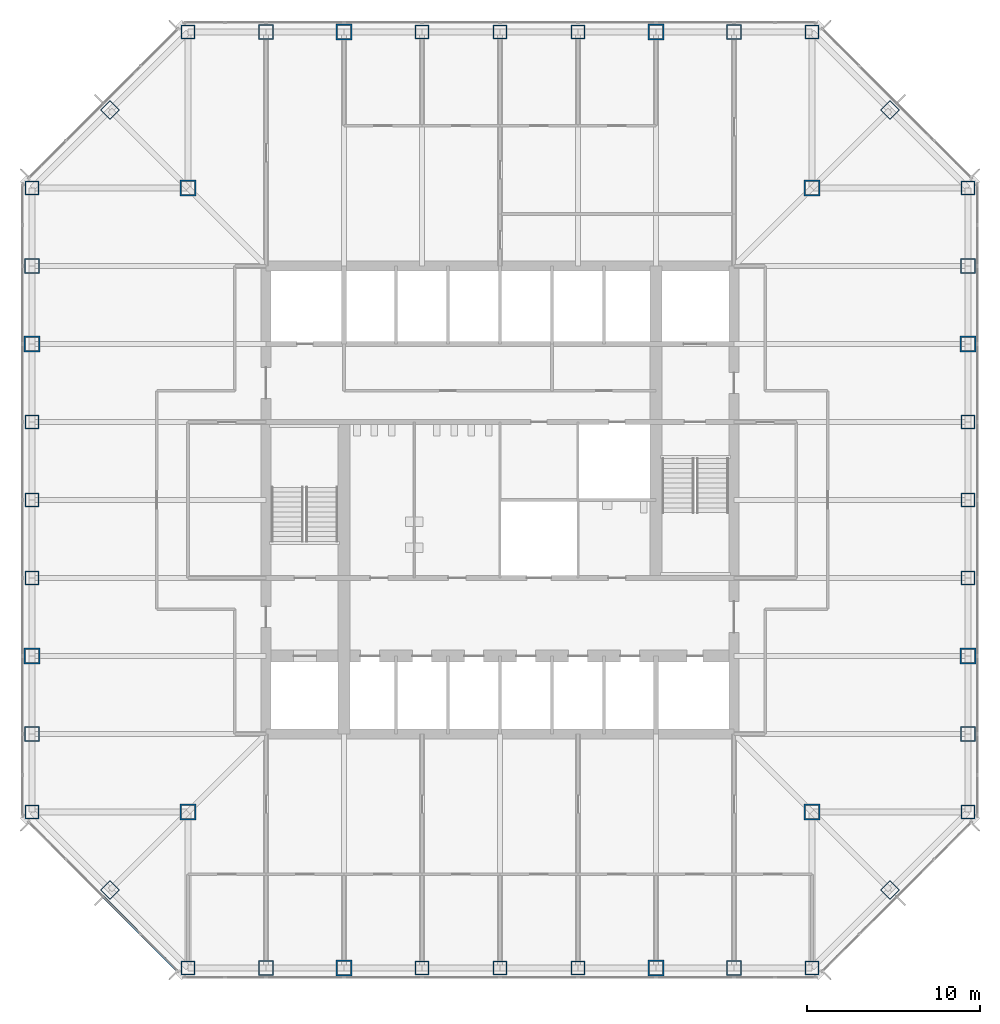
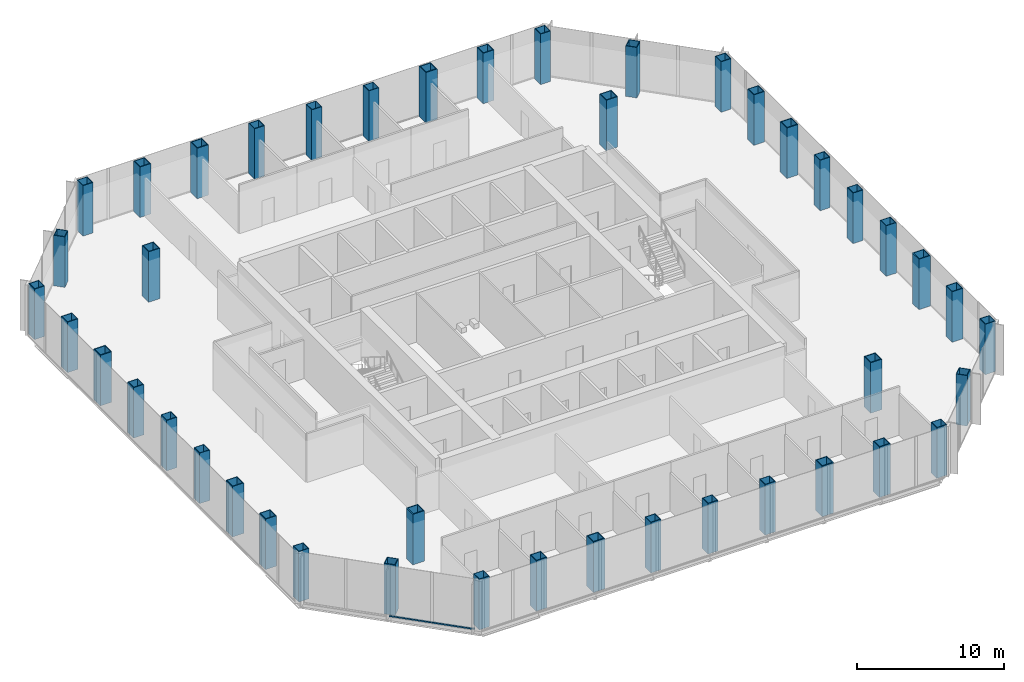
# One storey, part 1 of 13: 44 columns, 2 members, 1 element without a shape of its own.
"""IFC4 building model written with IfcOpenShell, lengths in metres."""

import ifcopenshell
import ifcopenshell.guid

model = None  # the IFC model being written
_history = None  # IfcOwnerHistory: only IFC2X3 demands one
_inside = {}  # id of a spatial element -> (the spatial element, [elements in it])
_under = {}  # id of a project, library or spatial element -> (it, [spatial elements below it])
_declared = {}  # id of a project -> (the project, [libraries it declares])
_typed = {}  # id of a type object -> (the type object, [elements of that type])
_made_of = {}  # id of a material, layer set ... -> (it, [elements and type objects made of it])


def new_model(schema):
    """Start an empty IFC model of exactly this schema.

    Asked for "IFC4X3", IfcOpenShell would pick the latest addendum, in which some entities
    have other attributes; the version numbers below select the first issue.
    IFC2X3 requires an IfcOwnerHistory on every rooted entity: one is made here for all.
    """
    global model, _history
    if schema == "IFC4X3":
        model = ifcopenshell.file(schema_version=(4, 3, 0, 0))
    else:
        model = ifcopenshell.file(schema=schema)
    _inside.clear()
    _under.clear()
    _declared.clear()
    _typed.clear()
    _made_of.clear()
    _history = None
    if model.schema == "IFC2X3":
        org = make("IfcOrganization", Name="unknown")
        user = make(
            "IfcPersonAndOrganization",
            ThePerson=make("IfcPerson", FamilyName="unknown"),
            TheOrganization=org,
        )
        app = make(
            "IfcApplication",
            ApplicationDeveloper=org,
            Version="unknown",
            ApplicationFullName="unknown",
            ApplicationIdentifier="unknown",
        )
        _history = make(
            "IfcOwnerHistory",
            OwningUser=user,
            OwningApplication=app,
            ChangeAction="ADDED",
            CreationDate=0,
        )
    return model


def make(cls, **values):
    """One entity of the class cls with the attributes given. An attribute that is None is left unset."""
    return model.create_entity(
        cls, **{name: value for name, value in values.items() if value is not None}
    )


def rooted(cls, **values):
    """An entity with a GlobalId (a new one), such as an element, a storey or a relation."""
    return make(cls, GlobalId=ifcopenshell.guid.new(), OwnerHistory=_history, **values)


def si_unit(unit_type, name, prefix=None):
    """IfcSIUnit, for example si_unit("LENGTHUNIT", "METRE", prefix="MILLI")."""
    return make("IfcSIUnit", UnitType=unit_type, Prefix=prefix, Name=name)


def assignment(units):
    """IfcUnitAssignment: the units of a project."""
    return None if units is None else make("IfcUnitAssignment", Units=units)


def point(xyz):
    """IfcCartesianPoint."""
    return None if xyz is None else make("IfcCartesianPoint", Coordinates=xyz)


def direction(xyz):
    """IfcDirection."""
    return None if xyz is None else make("IfcDirection", DirectionRatios=xyz)


def frame(location, z_axis=None, x_axis=None):
    """IfcAxis2Placement3D, a coordinate frame: its origin and axes. An axis left out is left unset."""
    return make(
        "IfcAxis2Placement3D",
        Location=point(location),
        Axis=direction(z_axis),
        RefDirection=direction(x_axis),
    )


def frame_2d(location, x_axis=None):
    """IfcAxis2Placement2D, a coordinate frame in the plane: its origin and x axis."""
    return make(
        "IfcAxis2Placement2D", Location=point(location), RefDirection=direction(x_axis)
    )


def origin():
    """The frame at (0, 0, 0) with its axes left unset."""
    return frame((0.0, 0.0, 0.0))


def origin_2d():
    """The frame at (0, 0) in the plane with its x axis left unset."""
    return frame_2d((0.0, 0.0))


def place(relative_to, where):
    """IfcLocalPlacement: puts the frame where relative to a parent placement (None: the world)."""
    return make(
        "IfcLocalPlacement", PlacementRelTo=relative_to, RelativePlacement=where
    )


def context(
    kind, dimensions, precision=None, world=None, true_north=None, identifier=None
):
    """IfcGeometricRepresentationContext, for example the 3D "Model" context."""
    return make(
        "IfcGeometricRepresentationContext",
        ContextIdentifier=identifier,
        ContextType=kind,
        CoordinateSpaceDimension=dimensions,
        Precision=precision,
        WorldCoordinateSystem=world,
        TrueNorth=true_north,
    )


def subcontext(parent, identifier, kind, view, scale=None):
    """IfcGeometricRepresentationSubContext, for example "Body" below "Model"."""
    return make(
        "IfcGeometricRepresentationSubContext",
        ContextIdentifier=identifier,
        ContextType=kind,
        ParentContext=parent,
        TargetScale=scale,
        TargetView=view,
    )


def project(units=None, contexts=None):
    """IfcProject with its units and contexts."""
    return rooted(
        "IfcProject",
        Name="project",
        RepresentationContexts=contexts,
        UnitsInContext=assignment(units),
    )


def spatial(cls, under=None, at=None, **own):
    """A site, building, storey or space (cls), placed at a placement, below another one or the project."""
    s = rooted(cls, ObjectPlacement=at, **own)
    if under is not None:
        _under.setdefault(under.id(), (under, []))[1].append(s)
    return s


def profile(cls, at=None, kind="AREA", **sizes):
    """A parametric profile (cls). Its sizes go by their IFC names, for example OverallWidth=200.0."""
    return make(cls, ProfileType=kind, Position=at, **sizes)


def rectangle(**sizes):
    """IfcRectangleProfileDef."""
    return profile("IfcRectangleProfileDef", **sizes)


def hollow_rectangle(**sizes):
    """IfcRectangleHollowProfileDef."""
    return profile("IfcRectangleHollowProfileDef", **sizes)


def extrude(swept, where, along, depth):
    """IfcExtrudedAreaSolid: the profile swept, set in the frame where, extruded along a direction by depth."""
    return make(
        "IfcExtrudedAreaSolid",
        SweptArea=swept,
        Position=where,
        ExtrudedDirection=direction(along),
        Depth=depth,
    )


def shape(context_of_items, identifier, shape_type, items):
    """IfcShapeRepresentation: the items that make up one representation, for example the "Body"."""
    return make(
        "IfcShapeRepresentation",
        ContextOfItems=context_of_items,
        RepresentationIdentifier=identifier,
        RepresentationType=shape_type,
        Items=items,
    )


def material(Name=None, Category=None):
    """IfcMaterial."""
    return make("IfcMaterial", Name=Name, Category=Category)


def material_profile(
    of_material, cross_section, Name=None, Category=None, Priority=None
):
    """IfcMaterialProfile: a cross section and its material."""
    return make(
        "IfcMaterialProfile",
        Name=Name,
        Material=of_material,
        Profile=cross_section,
        Priority=Priority,
        Category=Category,
    )


def profile_set(profiles, Name=None, composite=None):
    """IfcMaterialProfileSet."""
    return make(
        "IfcMaterialProfileSet",
        Name=Name,
        MaterialProfiles=profiles,
        CompositeProfile=composite,
    )


def made_of(thing, what):
    """Note that an element or type object is made of a material, layer set ...; save() writes the relation."""
    if what is not None:
        _made_of.setdefault(what.id(), (what, []))[1].append(thing)
    return thing


def type_object(cls, material=None, **own):
    """A type object (cls), such as IfcWallType, which elements share."""
    return made_of(rooted(cls, **own), material)


def element(
    cls,
    number,
    at=None,
    inside=None,
    cuts=None,
    type_object=None,
    material=None,
    context=None,
    identifier="Body",
    shape_type=None,
    held_by="IfcProductDefinitionShape",
    body=None,
    shapes=None,
    **own,
):
    """One element of the class cls, such as IfcWall. Its Tag is "e" and its number.

    at: its placement. inside: the storey or other place that contains it. cuts: it is an
    opening in that element (IfcRelVoidsElement). A single representation is given by context,
    identifier, shape_type and body (its items); several are given by shapes. held_by: the class
    of the entity that holds the representations. save() writes the other relations.
    """
    e = rooted(cls, Tag="e%d" % number, ObjectPlacement=at, **own)
    if body is not None:
        shapes = [shape(context, identifier, shape_type, body)]
    if shapes is not None:
        e.Representation = make(held_by, Representations=shapes)
    if inside is not None:
        _inside.setdefault(inside.id(), (inside, []))[1].append(e)
    if cuts is not None:
        rooted(
            "IfcRelVoidsElement", RelatingBuildingElement=cuts, RelatedOpeningElement=e
        )
    if type_object is not None:
        _typed.setdefault(type_object.id(), (type_object, []))[1].append(e)
    return made_of(e, material)


def aggregate(whole, parts):
    """IfcRelAggregates: a whole, such as a stair, and the parts it consists of."""
    return rooted("IfcRelAggregates", RelatingObject=whole, RelatedObjects=parts)


def save(model, path):
    """Write the relations noted so far, then the file.

    IfcRelAggregates (storeys below a building ...), IfcRelContainedInSpatialStructure (elements
    in a storey), IfcRelDefinesByType, IfcRelAssociatesMaterial and IfcRelDeclares: one each for
    every whole, place, type object, material and project.
    """
    for whole, parts in _under.values():
        aggregate(whole, parts)
    for where, things in _inside.values():
        rooted(
            "IfcRelContainedInSpatialStructure",
            RelatedElements=things,
            RelatingStructure=where,
        )
    for kind, things in _typed.values():
        rooted("IfcRelDefinesByType", RelatedObjects=things, RelatingType=kind)
    for what, things in _made_of.values():
        rooted("IfcRelAssociatesMaterial", RelatedObjects=things, RelatingMaterial=what)
    for by, libraries in _declared.values():
        rooted("IfcRelDeclares", RelatingContext=by, RelatedDefinitions=libraries)
    model.write(path)


model = new_model("IFC4")

# Units and contexts
model_context = context("Model", 3, precision=1e-05, world=origin(), true_north=direction((0.0, 1.0)))
body_context = subcontext(model_context, "Body", "Model", "MODEL_VIEW")
ifc_project = project(units=[si_unit("LENGTHUNIT", "METRE"), si_unit("AREAUNIT", "SQUARE_METRE"), si_unit("VOLUMEUNIT", "CUBIC_METRE"), si_unit("PLANEANGLEUNIT", "RADIAN"), si_unit("MASSUNIT", "GRAM", prefix="KILO")], contexts=[model_context])

# Site, building, storey
site_placement = place(None, origin())
site = spatial("IfcSite", under=ifc_project, at=site_placement, CompositionType="ELEMENT")
building_placement = place(site_placement, origin())
building = spatial("IfcBuilding", under=site, at=building_placement, Name="Corais Broadcast Tower", CompositionType="ELEMENT")
storey_placement = place(building_placement, frame((0.0, 0.0, 79.39990234375)))
storey = spatial("IfcBuildingStorey", under=building, at=storey_placement, Name="L17", CompositionType="ELEMENT", Elevation=79.39990234375)

# Columns
ifc_material_1 = material(Name="Steel ASTM A572 Grade 50", Category="steel")
ifc_material_profile_1 = material_profile(ifc_material_1, hollow_rectangle(XDim=0.800048828125, YDim=0.800048828125, WallThickness=0.044921875, at=origin_2d()), Name="BOX 800x800x45")
ifc_profile_set_1 = profile_set([ifc_material_profile_1], Name="Steel ASTM A572 Grade 50")
column_type_1 = type_object("IfcColumnType", Name="Column BOX 800x800x45", PredefinedType="COLUMN", material=ifc_profile_set_1)
for number, where, z_axis, x_axis, name in (
    (1, (9.0, 0.0, 0.0), (0.0, 0.0, 1.0), (1.0, 0.0, 0.0), "C3 A/5"),
    (2, (22.5, 0.0, 0.0), (0.0, 0.0, 1.0), (1.0, 0.0, 0.0), "C3 A/8"),
    (3, (27.0, 0.0, 0.0), (0.0, 0.0, 1.0), (1.0, 0.0, 0.0), "C3 A/9"),
    (4, (31.5, 0.0, 0.0), (0.0, 0.0, 1.0), (1.0, 0.0, 0.0), "C3 A/10"),
    (5, (45.0, 0.0, 0.0), (0.0, 0.0, 1.0), (1.0, 0.0, 0.0), "C3 A/13"),
    (6, (54.0, 9.0, 0.0), (0.0, 0.0, 1.0), (1.0, 0.0, 0.0), "C3 C/15"),
    (7, (54.0, 22.5, 0.0), (0.0, 0.0, 1.0), (1.0, 0.0, 0.0), "C3 F/15"),
    (8, (54.0, 27.0, 0.0), (0.0, 0.0, 1.0), (1.0, 0.0, 0.0), "C3 G/15"),
    (9, (54.0, 31.5, 0.0), (0.0, 0.0, 1.0), (1.0, 0.0, 0.0), "C3 H/15"),
    (10, (54.0, 45.0, 0.0), (0.0, 0.0, 1.0), (1.0, 0.0, 0.0), "C3 L/15"),
    (11, (45.0, 54.0, 0.0), (0.0, 0.0, 1.0), (1.0, 0.0, 0.0), "C3 N/13"),
    (12, (31.5, 54.0, 0.0), (0.0, 0.0, 1.0), (1.0, 0.0, 0.0), "C3 N/10"),
    (13, (27.0, 54.0, 0.0), (0.0, 0.0, 1.0), (1.0, 0.0, 0.0), "C3 N/9"),
    (14, (22.5, 54.0, 0.0), (0.0, 0.0, 1.0), (1.0, 0.0, 0.0), "C3 N/8"),
    (15, (9.0, 54.0, 0.0), (0.0, 0.0, 1.0), (1.0, 0.0, 0.0), "C3 N/5"),
    (16, (0.0, 45.0, 0.0), (0.0, 0.0, 1.0), (1.0, 0.0, 0.0), "C3 L/3"),
    (17, (0.0, 31.5, 0.0), (0.0, 0.0, 1.0), (1.0, 0.0, 0.0), "C3 H/3"),
    (18, (0.0, 27.0, 0.0), (0.0, 0.0, 1.0), (1.0, 0.0, 0.0), "C3 G/3"),
    (19, (0.0, 22.5, 0.0), (0.0, 0.0, 1.0), (1.0, 0.0, 0.0), "C3 F/3"),
    (20, (0.0, 9.0, 0.0), (0.0, 0.0, 1.0), (1.0, 0.0, 0.0), "C3 C/3"),
    (21, (4.5, 4.5, 0.0), (0.0, 0.0, 1.0), (0.707106781187, 0.707106781187, 0.0), "C3 B/4"),
    (22, (49.5, 4.5, 0.0), (0.0, 0.0, 1.0), (0.707106781187, 0.707106781187, 0.0), "C3 B/14"),
    (23, (49.5, 49.5, 0.0), (0.0, 0.0, 1.0), (0.707106781187, 0.707106781187, 0.0), "C3 M/14"),
    (24, (4.5, 49.5, 0.0), (0.0, 0.0, 1.0), (0.707106781187, 0.707106781187, 0.0), "C3 M/4"),
):
    element("IfcColumn", number, at=place(storey_placement, frame(where, z_axis=z_axis, x_axis=x_axis)), inside=storey, type_object=column_type_1, Name=name, PredefinedType="COLUMN", context=body_context, shape_type="SweptSolid", body=[
        extrude(hollow_rectangle(XDim=0.800048828125, YDim=0.800048828125, WallThickness=0.044921875, at=origin_2d()), origin(), (0.0, 0.0, 1.0), 4.2001953125),
    ])
ifc_material_2 = material(Name="Steel ASTM A572 Grade 50", Category="steel")
ifc_material_profile_2 = material_profile(ifc_material_2, hollow_rectangle(XDim=0.85009765625, YDim=0.85009765625, WallThickness=0.050048828125, at=origin_2d()), Name="BOX 850x850x50")
ifc_profile_set_2 = profile_set([ifc_material_profile_2], Name="Steel ASTM A572 Grade 50")
column_type_2 = type_object("IfcColumnType", Name="Column BOX 850x850x50", PredefinedType="COLUMN", material=ifc_profile_set_2)
for number, where, z_axis, x_axis, name in (
    (25, (13.5, 0.0, 0.0), (0.0, 0.0, 1.0), (1.0, 0.0, 0.0), "C1 A/6"),
    (26, (40.5, 0.0, 0.0), (0.0, 0.0, 1.0), (1.0, 0.0, 0.0), "C1 A/12"),
    (27, (54.0, 13.5, 0.0), (0.0, 0.0, 1.0), (1.0, 0.0, 0.0), "C1 D/15"),
    (28, (54.0, 40.5, 0.0), (0.0, 0.0, 1.0), (1.0, 0.0, 0.0), "C1 K/15"),
    (29, (40.5, 54.0, 0.0), (0.0, 0.0, 1.0), (1.0, 0.0, 0.0), "C1 N/12"),
    (30, (13.5, 54.0, 0.0), (0.0, 0.0, 1.0), (1.0, 0.0, 0.0), "C1 N/6"),
    (31, (0.0, 40.5, 0.0), (0.0, 0.0, 1.0), (1.0, 0.0, 0.0), "C1 K/3"),
    (32, (0.0, 13.5, 0.0), (0.0, 0.0, 1.0), (1.0, 0.0, 0.0), "C1 D/3"),
):
    element("IfcColumn", number, at=place(storey_placement, frame(where, z_axis=z_axis, x_axis=x_axis)), inside=storey, type_object=column_type_2, Name=name, PredefinedType="COLUMN", context=body_context, shape_type="SweptSolid", body=[
        extrude(hollow_rectangle(XDim=0.85009765625, YDim=0.85009765625, WallThickness=0.050048828125, at=origin_2d()), origin(), (0.0, 0.0, 1.0), 4.2001953125),
    ])
ifc_material_3 = material(Name="Steel ASTM A572 Grade 50", Category="steel")
ifc_material_profile_3 = material_profile(ifc_material_3, hollow_rectangle(XDim=0.89990234375, YDim=0.89990234375, WallThickness=0.06298828125, at=origin_2d()), Name="BOX 900x900x63")
ifc_profile_set_3 = profile_set([ifc_material_profile_3], Name="Steel ASTM A572 Grade 50")
column_type_3 = type_object("IfcColumnType", Name="Column BOX 900x900x63", PredefinedType="COLUMN", material=ifc_profile_set_3)
for number, where, z_axis, x_axis, name in (
    (33, (18.0, 0.0, 0.0), (0.0, 0.0, 1.0), (1.0, 0.0, 0.0), "C2 A/7"),
    (34, (36.0, 0.0, 0.0), (0.0, 0.0, 1.0), (1.0, 0.0, 0.0), "C2 A/11"),
    (35, (54.0, 18.0, 0.0), (0.0, 0.0, 1.0), (1.0, 0.0, 0.0), "C2 E/15"),
    (36, (54.0, 36.0, 0.0), (0.0, 0.0, 1.0), (1.0, 0.0, 0.0), "C2 J/15"),
    (37, (36.0, 54.0, 0.0), (0.0, 0.0, 1.0), (1.0, 0.0, 0.0), "C2 N/11"),
    (38, (18.0, 54.0, 0.0), (0.0, 0.0, 1.0), (1.0, 0.0, 0.0), "C2 N/7"),
    (39, (0.0, 36.0, 0.0), (0.0, 0.0, 1.0), (1.0, 0.0, 0.0), "C2 J/3"),
    (40, (0.0, 18.0, 0.0), (0.0, 0.0, 1.0), (1.0, 0.0, 0.0), "C2 E/3"),
    (41, (9.0, 9.0, 0.0), (0.0, 0.0, 1.0), (1.0, 0.0, 0.0), "C2 C/5"),
    (42, (45.0, 9.0, 0.0), (0.0, 0.0, 1.0), (1.0, 0.0, 0.0), "C2 C/13"),
    (43, (45.0, 45.0, 0.0), (0.0, 0.0, 1.0), (1.0, 0.0, 0.0), "C2 L/13"),
    (44, (9.0, 45.0, 0.0), (0.0, 0.0, 1.0), (1.0, 0.0, 0.0), "C2 L/5"),
):
    element("IfcColumn", number, at=place(storey_placement, frame(where, z_axis=z_axis, x_axis=x_axis)), inside=storey, type_object=column_type_3, Name=name, PredefinedType="COLUMN", context=body_context, shape_type="SweptSolid", body=[
        extrude(hollow_rectangle(XDim=0.89990234375, YDim=0.89990234375, WallThickness=0.06298828125, at=origin_2d()), origin(), (0.0, 0.0, 1.0), 4.2001953125),
    ])

# Curtain wall, members
ifc_material_4 = material(Name="Aluminium and glass", Category="aluminium")
curtain_wall_type = type_object("IfcCurtainWallType", Name="Unitised fritted curtain wall CW1", PredefinedType="NOTDEFINED", material=ifc_material_4)
curtain_wall_placement = place(storey_placement, origin())
curtain_wall = element("IfcCurtainWall", 45, at=curtain_wall_placement, inside=storey, type_object=curtain_wall_type, Name="CW1 curtain wall L17 1", PredefinedType="NOTDEFINED")
ifc_material_5 = material(Name="Aluminium 6063-T6", Category="aluminium")
ifc_material_profile_4 = material_profile(ifc_material_5, rectangle(XDim=0.139892578125, YDim=0.06494140625, at=origin_2d()), Name="Transom CW1 65x140")
ifc_profile_set_4 = profile_set([ifc_material_profile_4], Name="Aluminium 6063-T6")
member_type = type_object("IfcMemberType", Name="Transom CW1 65x140", PredefinedType="USERDEFINED", material=ifc_profile_set_4)
member_1_placement = place(storey_placement, frame((8.37255859375, -0.150390625, 0.03271484375), z_axis=(-0.707106781187, 0.707106781187, 0.0), x_axis=(-0.707106781187, -0.707106781187, 0.0)))
member_1 = element("IfcMember", 46, at=member_1_placement, type_object=member_type, Name="CW1 transom 1.1", ObjectType="TRANSOM", PredefinedType="USERDEFINED", context=body_context, shape_type="SweptSolid", body=[
    extrude(rectangle(XDim=0.139892578125, YDim=0.06494140625, at=origin_2d()), origin(), (0.0, 0.0, 1.0), 2.9482421875),
])
member_2_placement = place(storey_placement, frame((6.241943359375, 1.980224609375, 0.03271484375), z_axis=(-0.707106781187, 0.707106781187, 0.0), x_axis=(-0.707106781187, -0.707106781187, 0.0)))
member_2 = element("IfcMember", 47, at=member_2_placement, type_object=member_type, Name="CW1 transom 2.1", ObjectType="TRANSOM", PredefinedType="USERDEFINED", context=body_context, shape_type="SweptSolid", body=[
    extrude(rectangle(XDim=0.139892578125, YDim=0.06494140625, at=origin_2d()), origin(), (0.0, 0.0, 1.0), 2.98095703125),
])
aggregate(curtain_wall, [member_1, member_2])

save(model, "model.ifc")
